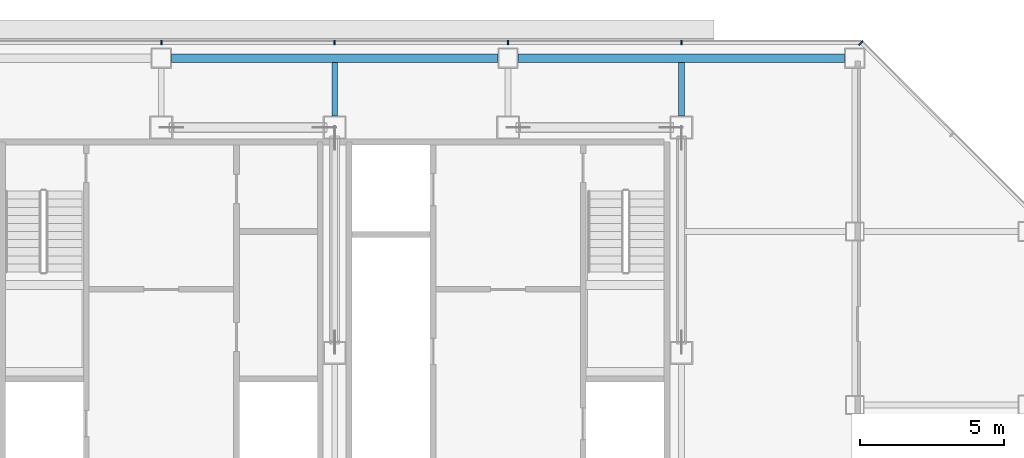
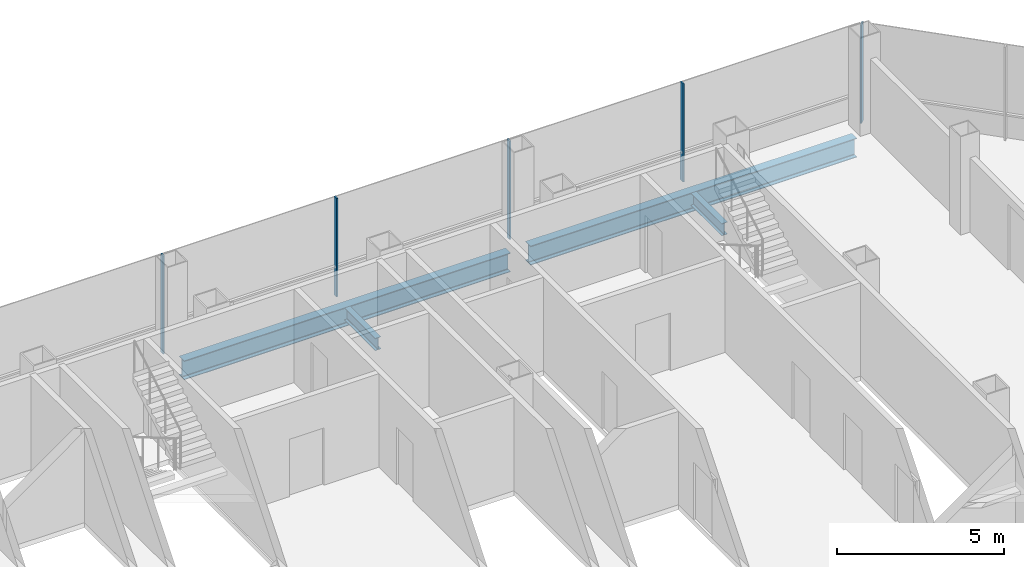
# One storey, part 15 of 27: 5 members, 4 beams, 2 elements without a shape of their own.
"""IFC4 building model written with IfcOpenShell, lengths in metres."""

from ifc_helpers import new_model, si_unit, direction, frame, origin, origin_2d, place, context, subcontext, project, spatial, rectangle, i_section, extrude, material, material_profile, profile_set, type_object, element, aggregate, save


model = new_model("IFC4")

# Units and contexts
model_context = context("Model", 3, precision=1e-05, world=origin(), true_north=direction((0.0, 1.0)))
body_context = subcontext(model_context, "Body", "Model", "MODEL_VIEW")
ifc_project = project(units=[si_unit("LENGTHUNIT", "METRE"), si_unit("AREAUNIT", "SQUARE_METRE"), si_unit("VOLUMEUNIT", "CUBIC_METRE"), si_unit("PLANEANGLEUNIT", "RADIAN"), si_unit("MASSUNIT", "GRAM", prefix="KILO")], contexts=[model_context])

# Site, building, storey
site_placement = place(None, origin())
site = spatial("IfcSite", under=ifc_project, at=site_placement, CompositionType="ELEMENT")
building_placement = place(site_placement, origin())
building = spatial("IfcBuilding", under=site, at=building_placement, Name="Sorahane Residences", CompositionType="ELEMENT")
storey_placement = place(building_placement, frame((0.0, 0.0, 195.60009765625)))
storey = spatial("IfcBuildingStorey", under=building, at=storey_placement, Name="L45", CompositionType="ELEMENT", Elevation=195.60009765625)

# Curtain wall, members
ifc_material_1 = material(Name="Dark low-e glass and black anodised aluminium", Category="aluminium")
curtain_wall_type_1 = type_object("IfcCurtainWallType", Name="Curtain wall CW-1 Typical unitised wall", PredefinedType="NOTDEFINED", material=ifc_material_1)
curtain_wall_1_placement = place(storey_placement, origin())
curtain_wall_1 = element("IfcCurtainWall", 1, at=curtain_wall_1_placement, inside=storey, type_object=curtain_wall_type_1, Name="CW-1 curtain wall L45 N1", PredefinedType="NOTDEFINED")
ifc_material_2 = material(Name="Black anodised aluminium", Category="aluminium")
ifc_material_profile_1 = material_profile(ifc_material_2, rectangle(XDim=0.159912109375, YDim=0.050048828125, at=origin_2d()), Name="Curtain wall mullion CW-1 black anodised aluminium 50x160")
ifc_profile_set_1 = profile_set([ifc_material_profile_1], Name="Black anodised aluminium")
member_type_1 = type_object("IfcMemberType", Name="Curtain wall mullion CW-1 black anodised aluminium 50x160", PredefinedType="MULLION", material=ifc_profile_set_1)
member_1_placement = place(storey_placement, frame((42.0, 48.5400390625, -0.18017578125), z_axis=(0.0, 0.0, 1.0), x_axis=(0.0, 1.0, 0.0)))
member_1 = element("IfcMember", 2, at=member_1_placement, type_object=member_type_1, Name="CW-1 mullion L45 N1.2", PredefinedType="MULLION", context=body_context, shape_type="SweptSolid", body=[
    extrude(rectangle(XDim=0.159912109375, YDim=0.050048828125, at=origin_2d()), origin(), (0.0, 0.0, 1.0), 3.60009765625),
])
member_2_placement = place(storey_placement, frame((36.0, 48.5400390625, -0.18017578125), z_axis=(0.0, 0.0, 1.0), x_axis=(0.0, 1.0, 0.0)))
member_2 = element("IfcMember", 3, at=member_2_placement, type_object=member_type_1, Name="CW-1 mullion L45 N1.3", PredefinedType="MULLION", context=body_context, shape_type="SweptSolid", body=[
    extrude(rectangle(XDim=0.159912109375, YDim=0.050048828125, at=origin_2d()), origin(), (0.0, 0.0, 1.0), 3.60009765625),
])
member_3_placement = place(storey_placement, frame((30.0, 48.5400390625, -0.18017578125), z_axis=(0.0, 0.0, 1.0), x_axis=(0.0, 1.0, 0.0)))
member_3 = element("IfcMember", 4, at=member_3_placement, type_object=member_type_1, Name="CW-1 mullion L45 N1.4", PredefinedType="MULLION", context=body_context, shape_type="SweptSolid", body=[
    extrude(rectangle(XDim=0.159912109375, YDim=0.050048828125, at=origin_2d()), origin(), (0.0, 0.0, 1.0), 3.60009765625),
])
member_4_placement = place(storey_placement, frame((24.0, 48.5400390625, -0.18017578125), z_axis=(0.0, 0.0, 1.0), x_axis=(0.0, 1.0, 0.0)))
member_4 = element("IfcMember", 5, at=member_4_placement, type_object=member_type_1, Name="CW-1 mullion L45 N1.5", PredefinedType="MULLION", context=body_context, shape_type="SweptSolid", body=[
    extrude(rectangle(XDim=0.159912109375, YDim=0.050048828125, at=origin_2d()), origin(), (0.0, 0.0, 1.0), 3.60009765625),
])
aggregate(curtain_wall_1, [member_1, member_2, member_3, member_4])

# Curtain wall, member
ifc_material_3 = material(Name="Dark low-e glass and black anodised aluminium", Category="aluminium")
curtain_wall_type_2 = type_object("IfcCurtainWallType", Name="Curtain wall CW-2 Chamfer unitised wall", PredefinedType="NOTDEFINED", material=ifc_material_3)
curtain_wall_2_placement = place(storey_placement, origin())
curtain_wall_2 = element("IfcCurtainWall", 6, at=curtain_wall_2_placement, inside=storey, type_object=curtain_wall_type_2, Name="CW-2 curtain wall L45 NE1", PredefinedType="NOTDEFINED")
ifc_material_4 = material(Name="Black anodised aluminium", Category="aluminium")
ifc_material_profile_2 = material_profile(ifc_material_4, rectangle(XDim=0.199951171875, YDim=0.050048828125, at=origin_2d()), Name="Curtain wall mullion CW-2 black anodised aluminium 50x200")
ifc_profile_set_2 = profile_set([ifc_material_profile_2], Name="Black anodised aluminium")
member_type_2 = type_object("IfcMemberType", Name="Curtain wall mullion CW-2 black anodised aluminium 50x200", PredefinedType="MULLION", material=ifc_profile_set_2)
member_5_placement = place(storey_placement, frame((48.209716796875, 48.525634765625, -0.18017578125), z_axis=(0.0, 0.0, 1.0), x_axis=(0.707106781187, 0.707106781187, 0.0)))
member_5 = element("IfcMember", 7, at=member_5_placement, type_object=member_type_2, Name="CW-2 mullion L45 NE1.3", PredefinedType="MULLION", context=body_context, shape_type="SweptSolid", body=[
    extrude(rectangle(XDim=0.199951171875, YDim=0.050048828125, at=origin_2d()), origin(), (0.0, 0.0, 1.0), 3.60009765625),
])
aggregate(curtain_wall_2, [member_5])

# Beams
ifc_material_5 = material(Name="Steel Q355B", Category="steel")
ifc_material_profile_3 = material_profile(ifc_material_5, i_section(OverallWidth=0.199951171875, OverallDepth=0.449951171875, WebThickness=0.009033203125, FlangeThickness=0.013916015625, FilletRadius=0.02001953125, at=origin_2d()), Name="HN 450x200x9x14")
ifc_profile_set_3 = profile_set([ifc_material_profile_3], Name="Steel Q355B")
beam_type_1 = type_object("IfcBeamType", Name="Steel floor beam HN 450x200x9x14 Q355B", PredefinedType="BEAM", material=ifc_profile_set_3)
for number, where, z_axis, x_axis, name in (
    (8, (30.0, 46.0, -0.405029296875), (0.0, 1.0, 0.0), (-1.0, 0.0, 0.0), "Beam L45 049"),
    (9, (42.0, 46.0, -0.405029296875), (0.0, 1.0, 0.0), (-1.0, 0.0, 0.0), "Beam L45 057"),
):
    element("IfcBeam", number, at=place(storey_placement, frame(where, z_axis=z_axis, x_axis=x_axis)), inside=storey, type_object=beam_type_1, Name=name, PredefinedType="BEAM", context=body_context, shape_type="SweptSolid", body=[
        extrude(i_section(OverallWidth=0.199951171875, OverallDepth=0.449951171875, WebThickness=0.009033203125, FlangeThickness=0.013916015625, FilletRadius=0.02001953125, at=origin_2d()), origin(), (0.0, 0.0, 1.0), 1.85009765625),
    ])
ifc_material_6 = material(Name="Steel Q355B", Category="steel")
ifc_material_profile_4 = material_profile(ifc_material_6, i_section(OverallWidth=0.300048828125, OverallDepth=0.699951171875, WebThickness=0.012939453125, FlangeThickness=0.02392578125, FilletRadius=0.028076171875, at=origin_2d()), Name="HN 700x300x13x24")
ifc_profile_set_4 = profile_set([ifc_material_profile_4], Name="Steel Q355B")
beam_type_2 = type_object("IfcBeamType", Name="Steel floor beam HN 700x300x13x24 Q355B", PredefinedType="BEAM", material=ifc_profile_set_4)
for number, where, z_axis, x_axis, name in (
    (10, (24.35009765625, 48.0, -0.530029296875), (1.0, 0.0, 0.0), (0.0, 1.0, 0.0), "Beam L45 018"),
    (11, (36.35009765625, 48.0, -0.530029296875), (1.0, 0.0, 0.0), (0.0, 1.0, 0.0), "Beam L45 019"),
):
    element("IfcBeam", number, at=place(storey_placement, frame(where, z_axis=z_axis, x_axis=x_axis)), inside=storey, type_object=beam_type_2, Name=name, PredefinedType="BEAM", context=body_context, shape_type="SweptSolid", body=[
        extrude(i_section(OverallWidth=0.300048828125, OverallDepth=0.699951171875, WebThickness=0.012939453125, FlangeThickness=0.02392578125, FilletRadius=0.028076171875, at=origin_2d()), origin(), (0.0, 0.0, 1.0), 11.2998046875),
    ])

save(model, "model.ifc")
